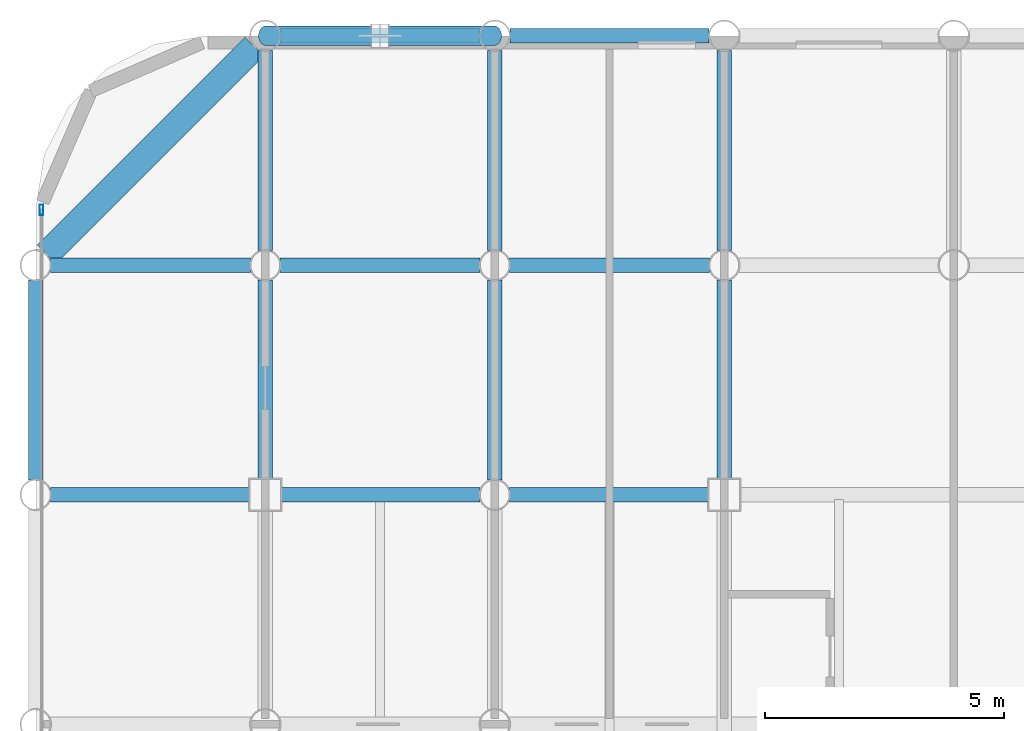
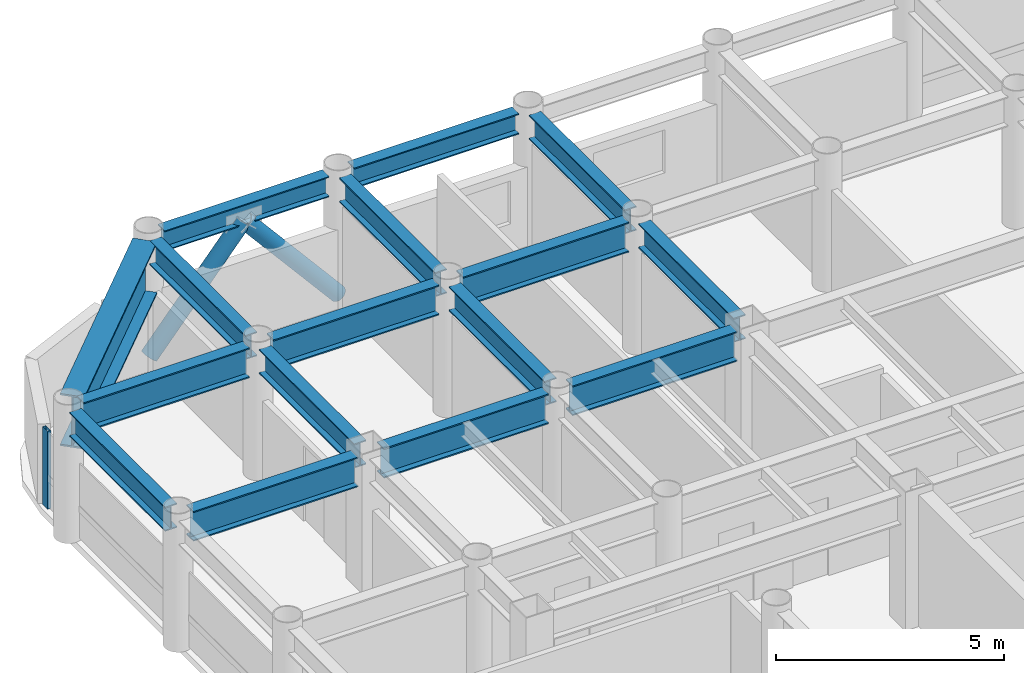
# One storey, part 11 of 22: 16 beams, 3 members, 1 element without a shape of its own.
"""IFC4 building model written with IfcOpenShell, lengths in metres."""

from ifc_helpers import new_model, si_unit, direction, frame, origin, origin_2d, place, context, subcontext, project, spatial, hollow_rectangle, hollow_circle, i_section, extrude, material, layer, layer_set, material_profile, profile_set, type_object, element, aggregate, save


model = new_model("IFC4")

# Units and contexts
model_context = context("Model", 3, precision=1e-05, world=origin(), true_north=direction((0.0, 1.0)))
body_context = subcontext(model_context, "Body", "Model", "MODEL_VIEW")
ifc_project = project(units=[si_unit("LENGTHUNIT", "METRE"), si_unit("AREAUNIT", "SQUARE_METRE"), si_unit("VOLUMEUNIT", "CUBIC_METRE"), si_unit("PLANEANGLEUNIT", "RADIAN"), si_unit("MASSUNIT", "GRAM", prefix="KILO")], contexts=[model_context])

# Site, building, storey
site_placement = place(None, origin())
site = spatial("IfcSite", under=ifc_project, at=site_placement, CompositionType="ELEMENT")
building_placement = place(site_placement, origin())
building = spatial("IfcBuilding", under=site, at=building_placement, Name="Kallvorn Hotel Tower", CompositionType="ELEMENT")
storey_placement = place(building_placement, frame((0.0, 0.0, 117.39990234375)))
storey = spatial("IfcBuildingStorey", under=building, at=storey_placement, Name="L28", CompositionType="ELEMENT", Elevation=117.39990234375)

# Beams
ifc_material_1 = material(Name="Structural steel S355JR", Category="steel")
ifc_material_profile_1 = material_profile(ifc_material_1, i_section(OverallWidth=0.300048828125, OverallDepth=0.550048828125, WebThickness=0.014892578125, FlangeThickness=0.029052734375, at=origin_2d()), Name="HE 550 B")
ifc_profile_set_1 = profile_set([ifc_material_profile_1], Name="Structural steel S355JR")
beam_type_1 = type_object("IfcBeamType", Name="BM_HE550B", PredefinedType="SPANDREL", material=ifc_profile_set_1)
for number, where, z_axis, x_axis, name in (
    (1, (-23.679931640625, 24.0, 3.2451171875), (1.0, 0.0, 0.0), (0.0, 1.0, 0.0), "L29 Perimeter Spandrel 163"),
    (2, (-18.8798828125, 24.0, 3.2451171875), (1.0, 0.0, 0.0), (0.0, 1.0, 0.0), "L29 Perimeter Spandrel 164"),
):
    element("IfcBeam", number, at=place(storey_placement, frame(where, z_axis=z_axis, x_axis=x_axis)), inside=storey, type_object=beam_type_1, Name=name, PredefinedType="SPANDREL", context=body_context, shape_type="SweptSolid", body=[
        extrude(i_section(OverallWidth=0.300048828125, OverallDepth=0.550048828125, WebThickness=0.014892578125, FlangeThickness=0.029052734375, at=origin_2d()), origin(), (0.0, 0.0, 1.0), 4.159912109375),
    ])
ifc_material_2 = material(Name="Structural steel S355JR", Category="steel")
ifc_material_profile_2 = material_profile(ifc_material_2, i_section(OverallWidth=0.300048828125, OverallDepth=0.64990234375, WebThickness=0.01611328125, FlangeThickness=0.031005859375, at=origin_2d()), Name="HE 650 B")
ifc_profile_set_2 = profile_set([ifc_material_profile_2], Name="Structural steel S355JR")
beam_type_2 = type_object("IfcBeamType", Name="BM_HE650B", PredefinedType="BEAM", material=ifc_profile_set_2)
beam_1_placement = place(storey_placement, frame((-28.800048828125, 14.705078125, 3.195068359375), z_axis=(0.0, 1.0, 0.0), x_axis=(-1.0, 0.0, 0.0)))
element("IfcBeam", 3, at=beam_1_placement, inside=storey, type_object=beam_type_2, Name="L29 Primary Y-Girder 80", PredefinedType="BEAM", context=body_context, shape_type="SweptSolid", body=[
    extrude(i_section(OverallWidth=0.300048828125, OverallDepth=0.64990234375, WebThickness=0.01611328125, FlangeThickness=0.031005859375, at=origin_2d()), origin(), (0.0, 0.0, 1.0), 4.18994140625),
])
beam_2_placement = place(storey_placement, frame((-24.0, 14.72509765625, 3.195068359375), z_axis=(0.0, 1.0, 0.0), x_axis=(-1.0, 0.0, 0.0)))
element("IfcBeam", 4, at=beam_2_placement, inside=storey, type_object=beam_type_2, Name="L29 Primary Y-Girder 86", PredefinedType="BEAM", context=body_context, shape_type="SweptSolid", body=[
    extrude(i_section(OverallWidth=0.300048828125, OverallDepth=0.64990234375, WebThickness=0.01611328125, FlangeThickness=0.031005859375, at=origin_2d()), origin(), (0.0, 0.0, 1.0), 4.169921875),
])
beam_3_placement = place(storey_placement, frame((-24.0, 19.5048828125, 3.195068359375), z_axis=(0.0, 1.0, 0.0), x_axis=(-1.0, 0.0, 0.0)))
element("IfcBeam", 5, at=beam_3_placement, inside=storey, type_object=beam_type_2, Name="L29 Primary Y-Girder 87", PredefinedType="BEAM", context=body_context, shape_type="SweptSolid", body=[
    extrude(i_section(OverallWidth=0.300048828125, OverallDepth=0.64990234375, WebThickness=0.01611328125, FlangeThickness=0.031005859375, at=origin_2d()), origin(), (0.0, 0.0, 1.0), 4.190185546875),
])
beam_4_placement = place(storey_placement, frame((-19.199951171875, 14.705078125, 3.195068359375), z_axis=(0.0, 1.0, 0.0), x_axis=(-1.0, 0.0, 0.0)))
element("IfcBeam", 6, at=beam_4_placement, inside=storey, type_object=beam_type_2, Name="L29 Primary Y-Girder 95", PredefinedType="BEAM", context=body_context, shape_type="SweptSolid", body=[
    extrude(i_section(OverallWidth=0.300048828125, OverallDepth=0.64990234375, WebThickness=0.01611328125, FlangeThickness=0.031005859375, at=origin_2d()), origin(), (0.0, 0.0, 1.0), 4.18994140625),
])
beam_5_placement = place(storey_placement, frame((-19.199951171875, 19.5048828125, 3.195068359375), z_axis=(0.0, 1.0, 0.0), x_axis=(-1.0, 0.0, 0.0)))
element("IfcBeam", 7, at=beam_5_placement, inside=storey, type_object=beam_type_2, Name="L29 Primary Y-Girder 96", PredefinedType="BEAM", context=body_context, shape_type="SweptSolid", body=[
    extrude(i_section(OverallWidth=0.300048828125, OverallDepth=0.64990234375, WebThickness=0.01611328125, FlangeThickness=0.031005859375, at=origin_2d()), origin(), (0.0, 0.0, 1.0), 4.190185546875),
])
beam_6_placement = place(storey_placement, frame((-14.39990234375, 14.72509765625, 3.195068359375), z_axis=(0.0, 1.0, 0.0), x_axis=(-1.0, 0.0, 0.0)))
element("IfcBeam", 8, at=beam_6_placement, inside=storey, type_object=beam_type_2, Name="L29 Primary Y-Girder 100", PredefinedType="BEAM", context=body_context, shape_type="SweptSolid", body=[
    extrude(i_section(OverallWidth=0.300048828125, OverallDepth=0.64990234375, WebThickness=0.01611328125, FlangeThickness=0.031005859375, at=origin_2d()), origin(), (0.0, 0.0, 1.0), 4.169921875),
])
beam_7_placement = place(storey_placement, frame((-14.39990234375, 19.5048828125, 3.195068359375), z_axis=(0.0, 1.0, 0.0), x_axis=(-1.0, 0.0, 0.0)))
element("IfcBeam", 9, at=beam_7_placement, inside=storey, type_object=beam_type_2, Name="L29 Primary Y-Girder 101", PredefinedType="BEAM", context=body_context, shape_type="SweptSolid", body=[
    extrude(i_section(OverallWidth=0.300048828125, OverallDepth=0.64990234375, WebThickness=0.01611328125, FlangeThickness=0.031005859375, at=origin_2d()), origin(), (0.0, 0.0, 1.0), 4.190185546875),
])
ifc_material_3 = material(Name="Structural steel S355JR", Category="steel")
ifc_material_profile_3 = material_profile(ifc_material_3, i_section(OverallWidth=0.300048828125, OverallDepth=0.800048828125, WebThickness=0.017578125, FlangeThickness=0.032958984375, at=origin_2d()), Name="HE 800 B")
ifc_profile_set_3 = profile_set([ifc_material_profile_3], Name="Structural steel S355JR")
beam_type_3 = type_object("IfcBeamType", Name="BM_HE800B", PredefinedType="BEAM", material=ifc_profile_set_3)
for number, where, z_axis, x_axis, name in (
    (10, (-28.4951171875, 14.39990234375, 3.1201171875), (1.0, 0.0, 0.0), (0.0, 1.0, 0.0), "L29 Primary X-Girder 50"),
    (11, (-23.675048828125, 14.39990234375, 3.1201171875), (1.0, 0.0, 0.0), (0.0, 1.0, 0.0), "L29 Primary X-Girder 51"),
):
    element("IfcBeam", number, at=place(storey_placement, frame(where, z_axis=z_axis, x_axis=x_axis)), inside=storey, type_object=beam_type_3, Name=name, PredefinedType="BEAM", context=body_context, shape_type="SweptSolid", body=[
        extrude(i_section(OverallWidth=0.300048828125, OverallDepth=0.800048828125, WebThickness=0.017578125, FlangeThickness=0.032958984375, at=origin_2d()), origin(), (0.0, 0.0, 1.0), 4.170166015625),
    ])
beam_8_placement = place(storey_placement, frame((-18.89501953125, 14.39990234375, 3.1201171875), z_axis=(1.0, 0.0, 0.0), x_axis=(0.0, 1.0, 0.0)))
element("IfcBeam", 12, at=beam_8_placement, inside=storey, type_object=beam_type_3, Name="L29 Primary X-Girder 52", PredefinedType="BEAM", context=body_context, shape_type="SweptSolid", body=[
    extrude(i_section(OverallWidth=0.300048828125, OverallDepth=0.800048828125, WebThickness=0.017578125, FlangeThickness=0.032958984375, at=origin_2d()), origin(), (0.0, 0.0, 1.0), 4.169921875),
])
for number, where, z_axis, x_axis, name in (
    (13, (-28.4951171875, 19.199951171875, 3.1201171875), (1.0, 0.0, 0.0), (0.0, 1.0, 0.0), "L29 Primary X-Girder 60"),
    (14, (-23.695068359375, 19.199951171875, 3.1201171875), (1.0, 0.0, 0.0), (0.0, 1.0, 0.0), "L29 Primary X-Girder 61"),
):
    element("IfcBeam", number, at=place(storey_placement, frame(where, z_axis=z_axis, x_axis=x_axis)), inside=storey, type_object=beam_type_3, Name=name, PredefinedType="BEAM", context=body_context, shape_type="SweptSolid", body=[
        extrude(i_section(OverallWidth=0.300048828125, OverallDepth=0.800048828125, WebThickness=0.017578125, FlangeThickness=0.032958984375, at=origin_2d()), origin(), (0.0, 0.0, 1.0), 4.190185546875),
    ])
beam_9_placement = place(storey_placement, frame((-18.89501953125, 19.199951171875, 3.1201171875), z_axis=(1.0, 0.0, 0.0), x_axis=(0.0, 1.0, 0.0)))
element("IfcBeam", 15, at=beam_9_placement, inside=storey, type_object=beam_type_3, Name="L29 Primary X-Girder 62", PredefinedType="BEAM", context=body_context, shape_type="SweptSolid", body=[
    extrude(i_section(OverallWidth=0.300048828125, OverallDepth=0.800048828125, WebThickness=0.017578125, FlangeThickness=0.032958984375, at=origin_2d()), origin(), (0.0, 0.0, 1.0), 4.18994140625),
])
ifc_material_4 = material(Name="Structural steel S355JR", Category="steel")
ifc_material_profile_4 = material_profile(ifc_material_4, i_section(OverallWidth=0.550048828125, OverallDepth=1.39990234375, WebThickness=0.02490234375, FlangeThickness=0.044921875, at=origin_2d()), Name="PG 1400x550x25x45")
ifc_profile_set_4 = profile_set([ifc_material_profile_4], Name="Structural steel S355JR")
beam_type_4 = type_object("IfcBeamType", Name="BM_PG_1400", PredefinedType="BEAM", material=ifc_profile_set_4)
beam_10_placement = place(storey_placement, frame((-28.57373046875, 19.42626953125, 2.820068359375), z_axis=(0.707106781187, 0.707106781187, 0.0), x_axis=(-0.707106781187, 0.707106781187, 0.0)))
element("IfcBeam", 16, at=beam_10_placement, inside=storey, type_object=beam_type_4, Name="L29 Rounded Corner Tie Beam 189", PredefinedType="BEAM", context=body_context, shape_type="SweptSolid", body=[
    extrude(i_section(OverallWidth=0.550048828125, OverallDepth=1.39990234375, WebThickness=0.02490234375, FlangeThickness=0.044921875, at=origin_2d()), origin(), (0.0, 0.0, 1.0), 6.148193359375),
])

# Curtain wall, member
ifc_material_5 = material(Name="Thermally broken black-anodised aluminium AA 6063-T6", Category="aluminium")
ifc_layer = layer(ifc_material_5, 0.199951171875)
ifc_layer_set = layer_set([ifc_layer], Name="CW_SYS_3_HOTEL_LOW")
curtain_wall_type = type_object("IfcCurtainWallType", Name="CW_SYS_3_HOTEL_LOW", PredefinedType="USERDEFINED", material=ifc_layer_set)
curtain_wall_placement = place(storey_placement, origin())
curtain_wall = element("IfcCurtainWall", 17, at=curtain_wall_placement, inside=storey, type_object=curtain_wall_type, Name="L28 Dark-Glass Curtain Wall CW-L28-WN", ObjectType="UNITISED CURTAIN WALL", PredefinedType="USERDEFINED")
ifc_material_6 = material(Name="Thermally broken black-anodised aluminium AA 6063-T6", Category="aluminium")
ifc_material_profile_5 = material_profile(ifc_material_6, hollow_rectangle(XDim=0.080078125, YDim=0.219970703125, WallThickness=0.0048828125, at=origin_2d()), Name="MUL 220x80")
ifc_profile_set_5 = profile_set([ifc_material_profile_5], Name="Thermally broken black-anodised aluminium AA 6063-T6")
member_type_1 = type_object("IfcMemberType", Name="CW_MULLION_220x80", PredefinedType="MULLION", material=ifc_profile_set_5)
member_placement = place(storey_placement, frame((-28.679931640625, 20.360107421875, 0.02001953125), z_axis=(0.0, 0.0, 1.0), x_axis=(1.0, 0.0, 0.0)))
member = element("IfcMember", 18, at=member_placement, type_object=member_type_1, Name="CW-L28-WN Mullion 01", PredefinedType="MULLION", context=body_context, shape_type="SweptSolid", body=[
    extrude(hollow_rectangle(XDim=0.080078125, YDim=0.219970703125, WallThickness=0.0048828125, at=origin_2d()), origin(), (0.0, 0.0, 1.0), 2.080078125),
])
aggregate(curtain_wall, [member])

# Members
ifc_material_7 = material(Name="Structural steel S355J2H", Category="steel")
ifc_material_profile_6 = material_profile(ifc_material_7, hollow_circle(Radius=0.203125, WallThickness=0.01611328125, at=origin_2d()), Name="CHS 406.4x16")
ifc_profile_set_6 = profile_set([ifc_material_profile_6], Name="Structural steel S355J2H")
member_type_2 = type_object("IfcMemberType", Name="MBR_EXO_CHS406", PredefinedType="BRACE", material=ifc_profile_set_6)
for number, where, z_axis, x_axis, name in (
    (19, (-23.987060546875, 24.0, 0.1953125), (0.646800487591, 0.0, 0.762659248453), (0.0, 1.0, 0.0), "L28 Exoskeleton K-Brace N1A"),
    (20, (-19.212890625, 24.0, 0.1953125), (-0.646800487591, 0.0, 0.762659248453), (0.0, -1.0, 0.0), "L28 Exoskeleton K-Brace N1B"),
):
    element("IfcMember", number, at=place(storey_placement, frame(where, z_axis=z_axis, x_axis=x_axis)), inside=storey, type_object=member_type_2, Name=name, PredefinedType="BRACE", context=body_context, shape_type="SweptSolid", body=[
        extrude(hollow_circle(Radius=0.203125, WallThickness=0.01611328125, at=origin_2d()), origin(), (0.0, 0.0, 1.0), 3.6708984375),
    ])

save(model, "model.ifc")
